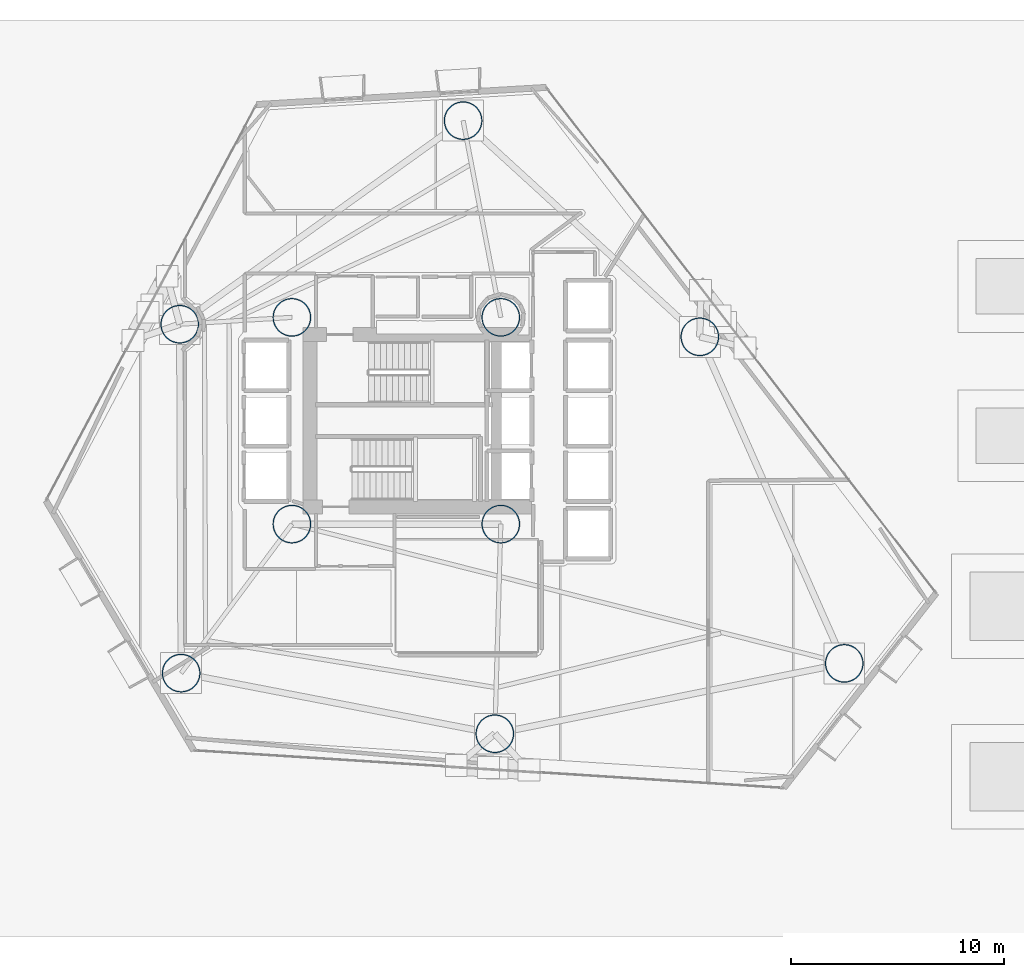
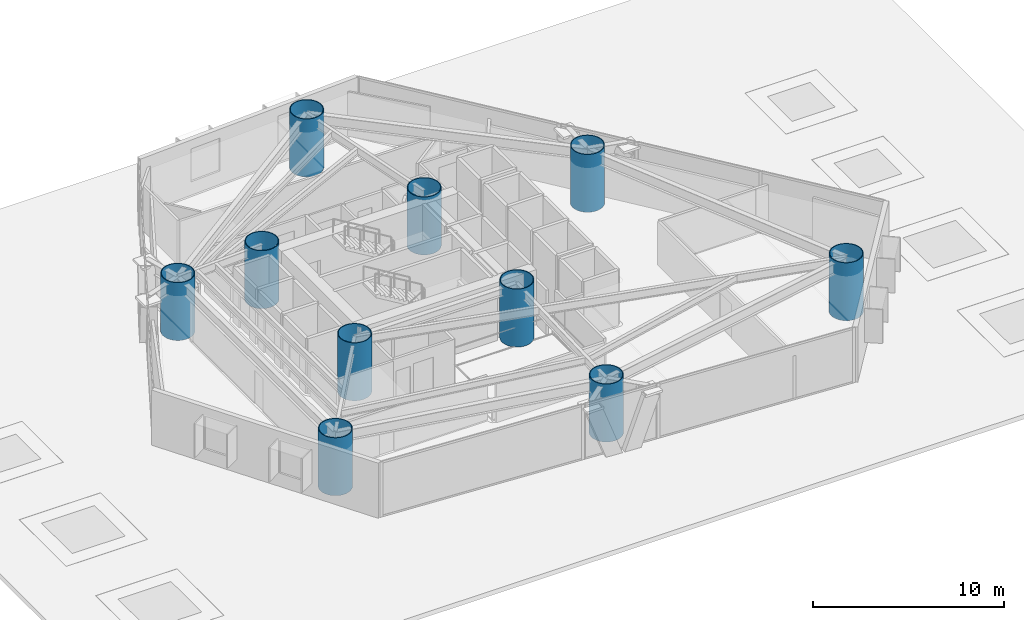
# One storey, part 1 of 22: 10 columns.
"""IFC4 building model written with IfcOpenShell, lengths in metres."""

from ifc_helpers import new_model, si_unit, direction, frame, origin, origin_2d, place, context, subcontext, project, spatial, hollow_circle, extrude, material, material_profile, profile_set, type_object, element, save


model = new_model("IFC4")

# Units and contexts
model_context = context("Model", 3, precision=1e-05, world=origin(), true_north=direction((0.0, 1.0)))
body_context = subcontext(model_context, "Body", "Model", "MODEL_VIEW")
ifc_project = project(units=[si_unit("LENGTHUNIT", "METRE"), si_unit("AREAUNIT", "SQUARE_METRE"), si_unit("VOLUMEUNIT", "CUBIC_METRE"), si_unit("PLANEANGLEUNIT", "RADIAN"), si_unit("MASSUNIT", "GRAM", prefix="KILO")], contexts=[model_context])

# Site, building, storey
site_placement = place(None, origin())
site = spatial("IfcSite", under=ifc_project, at=site_placement, CompositionType="ELEMENT")
building_placement = place(site_placement, origin())
building = spatial("IfcBuilding", under=site, at=building_placement, Name="Qianvela Tower", CompositionType="ELEMENT")
storey_placement = place(building_placement, frame((0.0, 0.0, 25.699951171875)))
storey = spatial("IfcBuildingStorey", under=building, at=storey_placement, Name="L05", CompositionType="ELEMENT", Elevation=25.699951171875)

# Columns
ifc_material = material(Name="Steel Q420GJC", Category="steel")
ifc_material_profile = material_profile(ifc_material, hollow_circle(Radius=0.89990234375, WallThickness=0.044921875, at=origin_2d()), Name="CFT-1800x45")
ifc_profile_set = profile_set([ifc_material_profile], Name="Steel Q420GJC")
column_type = type_object("IfcColumnType", Name="COL-CFT-1800x45", PredefinedType="COLUMN", material=ifc_profile_set)
for number, where, z_axis, x_axis, name in (
    (1, (28.60009765625, 33.550048828125, 0.0), (0.0, 0.0, 1.0), (1.0, 0.0, 0.0), "L05 Core Corner Mega-Column CC-NW"),
    (2, (28.60009765625, 23.85009765625, 0.0), (0.0, 0.0, 1.0), (1.0, 0.0, 0.0), "L05 Core Corner Mega-Column CC-SW"),
    (3, (38.39990234375, 33.550048828125, 0.0), (0.0, 0.0, 1.0), (1.0, 0.0, 0.0), "L05 Core Corner Mega-Column CC-NE"),
    (4, (38.39990234375, 23.85009765625, 0.0), (0.0, 0.0, 1.0), (1.0, 0.0, 0.0), "L05 Core Corner Mega-Column CC-SE"),
    (5, (54.511962890625, 17.31689453125, 0.0), (0.0, 0.0, 1.0), (1.0, 0.0, 0.0), "L05 Zone Z1 CFT Mega-Column C1"),
    (6, (47.736083984375, 32.636962890625, 0.0), (0.0, 0.0, 1.0), (1.0, 0.0, 0.0), "L05 Zone Z1 CFT Mega-Column C2"),
    (7, (36.632080078125, 42.778076171875, 0.0), (0.0, 0.0, 1.0), (1.0, 0.0, 0.0), "L05 Zone Z1 CFT Mega-Column C3"),
    (8, (23.337890625, 33.22802734375, 0.0), (0.0, 0.0, 1.0), (1.0, 0.0, 0.0), "L05 Zone Z1 CFT Mega-Column C4"),
    (9, (23.404052734375, 16.860107421875, 0.0), (0.0, 0.0, 1.0), (1.0, 0.0, 0.0), "L05 Zone Z1 CFT Mega-Column C5"),
    (10, (38.1201171875, 14.01611328125, 0.0), (0.0, 0.0, 1.0), (1.0, 0.0, 0.0), "L05 Zone Z1 CFT Mega-Column C6"),
):
    element("IfcColumn", number, at=place(storey_placement, frame(where, z_axis=z_axis, x_axis=x_axis)), inside=storey, type_object=column_type, Name=name, PredefinedType="COLUMN", context=body_context, shape_type="SweptSolid", body=[
        extrude(hollow_circle(Radius=0.89990234375, WallThickness=0.044921875, at=origin_2d()), origin(), (0.0, 0.0, 1.0), 3.699951171875),
    ])

save(model, "model.ifc")
